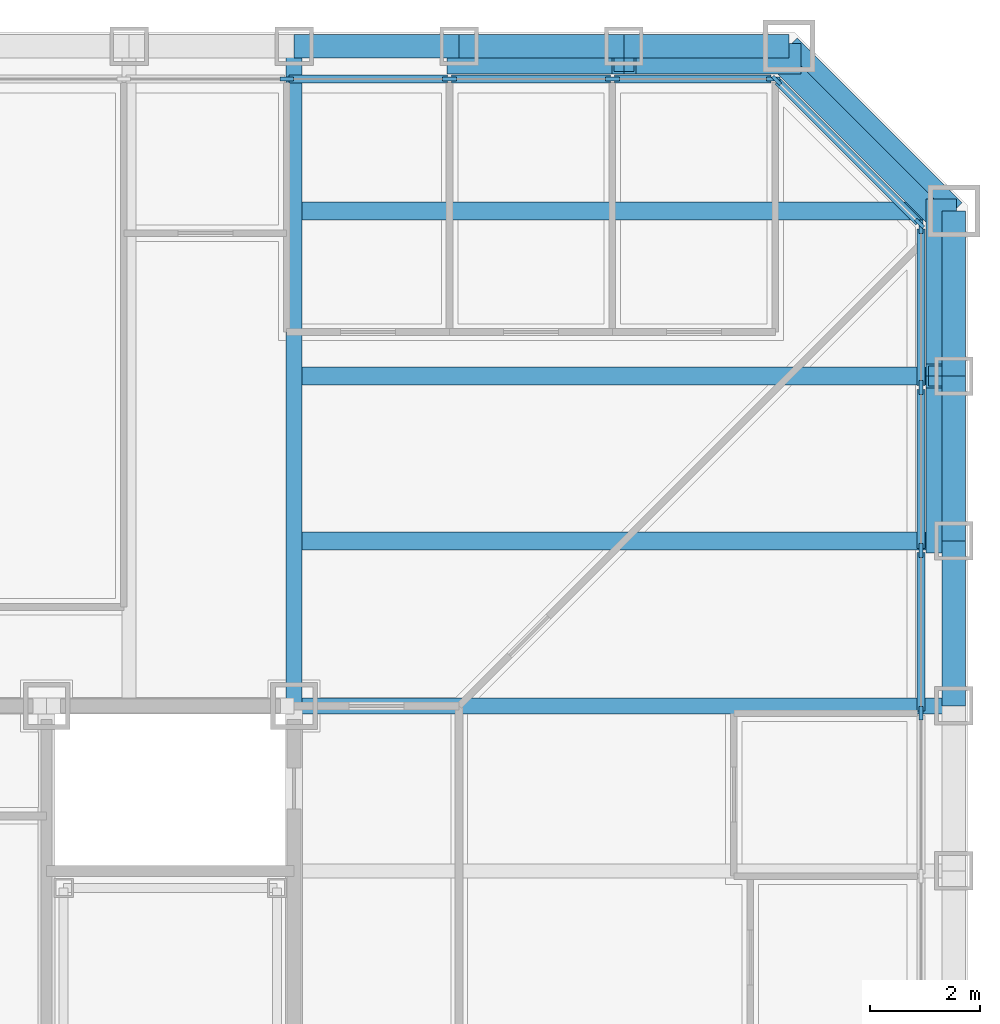
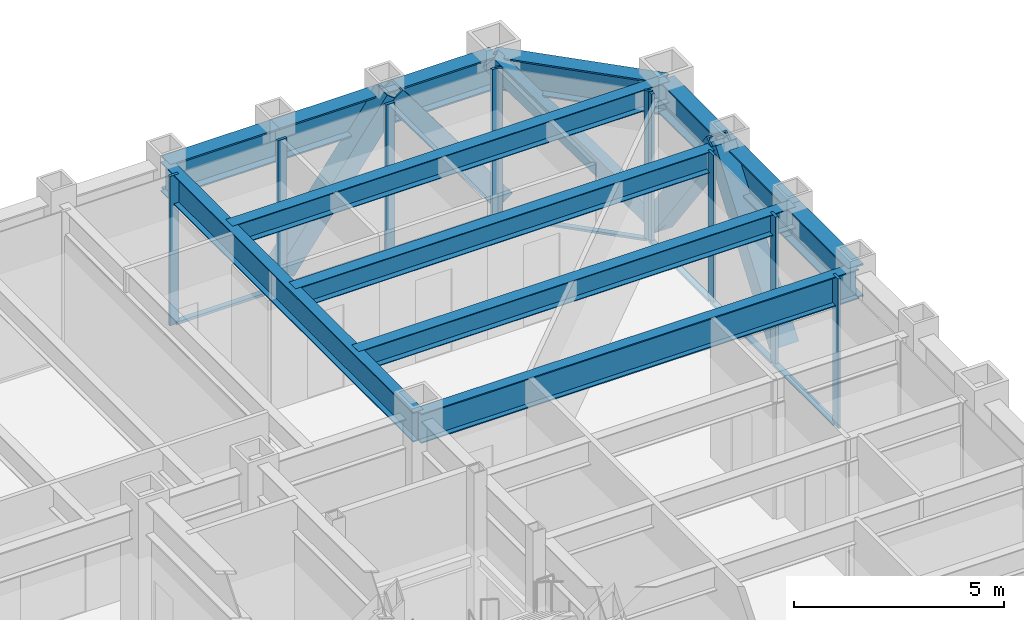
# One storey, part 6 of 16: 22 members, 12 beams, 3 elements without a shape of their own.
"""IFC4 building model written with IfcOpenShell, lengths in metres."""

from ifc_helpers import new_model, si_unit, direction, frame, origin, origin_2d, place, context, subcontext, project, spatial, rectangle, hollow_rectangle, i_section, extrude, material, layer, layer_set, material_profile, profile_set, type_object, element, aggregate, save


model = new_model("IFC4")

# Units and contexts
model_context = context("Model", 3, precision=1e-05, world=origin(), true_north=direction((0.0, 1.0)))
body_context = subcontext(model_context, "Body", "Model", "MODEL_VIEW")
ifc_project = project(units=[si_unit("LENGTHUNIT", "METRE"), si_unit("AREAUNIT", "SQUARE_METRE"), si_unit("VOLUMEUNIT", "CUBIC_METRE"), si_unit("PLANEANGLEUNIT", "RADIAN"), si_unit("MASSUNIT", "GRAM", prefix="KILO")], contexts=[model_context])

# Site, building, storey
site_placement = place(None, origin())
site = spatial("IfcSite", under=ifc_project, at=site_placement, CompositionType="ELEMENT")
building_placement = place(site_placement, origin())
building = spatial("IfcBuilding", under=site, at=building_placement, Name="Chuquiago Exchange Tower", CompositionType="ELEMENT")
storey_placement = place(building_placement, frame((0.0, 0.0, 33.300048828125)))
storey = spatial("IfcBuildingStorey", under=building, at=storey_placement, Name="L06", CompositionType="ELEMENT", Elevation=33.300048828125)

# Beams
ifc_material_1 = material(Name="Steel ASTM A992", Category="steel")
ifc_material_profile_1 = material_profile(ifc_material_1, i_section(OverallWidth=0.3251953125, OverallDepth=0.6171875, WebThickness=0.013916015625, FlangeThickness=0.021484375, at=origin_2d()), Name="W24X117")
ifc_profile_set_1 = profile_set([ifc_material_profile_1], Name="Steel ASTM A992")
beam_type_1 = type_object("IfcBeamType", Name="B5 W24X117", PredefinedType="BEAM", material=ifc_profile_set_1)
for number, where, z_axis, x_axis, name in (
    (1, (33.0, 36.0, 3.7314453125), (1.0, 0.0, 0.0), (0.0, 1.0, 0.0), "FB-L07-corner-33_36-45_36-0"),
    (2, (33.0, 39.0, 3.7314453125), (1.0, 0.0, 0.0), (0.0, 1.0, 0.0), "FB-L07-corner-33_39-45_39-0"),
    (3, (33.0, 42.0, 3.7314453125), (1.0, 0.0, 0.0), (0.0, 1.0, 0.0), "FB-L07-corner-33_42-45_42-0"),
):
    element("IfcBeam", number, at=place(storey_placement, frame(where, z_axis=z_axis, x_axis=x_axis)), inside=storey, type_object=beam_type_1, Name=name, PredefinedType="BEAM", context=body_context, shape_type="SweptSolid", body=[
        extrude(i_section(OverallWidth=0.3251953125, OverallDepth=0.6171875, WebThickness=0.013916015625, FlangeThickness=0.021484375, at=origin_2d()), origin(), (0.0, 0.0, 1.0), 12.0),
    ])

# Curtain wall, members
ifc_material_2 = material(Name="Aluminium curtain wall system", Category="aluminium")
ifc_layer_1 = layer(ifc_material_2, 0.25)
ifc_layer_set_1 = layer_set([ifc_layer_1], Name="CW1 trading floor curtain wall")
curtain_wall_type_1 = type_object("IfcCurtainWallType", Name="CW1 trading floor curtain wall", PredefinedType="NOTDEFINED", material=ifc_layer_set_1)
curtain_wall_1_placement = place(storey_placement, origin())
curtain_wall_1 = element("IfcCurtainWall", 4, at=curtain_wall_1_placement, inside=storey, type_object=curtain_wall_type_1, Name="CW1 curtain wall L06", PredefinedType="NOTDEFINED")
ifc_material_3 = material(Name="Aluminium mullion, pale anodised", Category="aluminium")
ifc_material_profile_2 = material_profile(ifc_material_3, rectangle(XDim=0.074951171875, YDim=0.25, at=origin_2d()), Name="AL 75x250")
ifc_profile_set_2 = profile_set([ifc_material_profile_2], Name="Aluminium mullion, pale anodised")
member_type_1 = type_object("IfcMemberType", Name="CW1-M mullion 75x250", PredefinedType="MULLION", material=ifc_profile_set_2)
member_1_placement = place(storey_placement, frame((44.39990234375, 32.8662109375, -0.300048828125), z_axis=(0.0, 0.0, 1.0), x_axis=(-1.0, 0.0, 0.0)))
member_1 = element("IfcMember", 5, at=member_1_placement, type_object=member_type_1, Name="CW1 mullion 11", PredefinedType="MULLION", context=body_context, shape_type="SweptSolid", body=[
    extrude(rectangle(XDim=0.074951171875, YDim=0.25, at=origin_2d()), origin(), (0.0, 0.0, 1.0), 4.340087890625),
])
member_2_placement = place(storey_placement, frame((44.39990234375, 35.827880859375, -0.300048828125), z_axis=(0.0, 0.0, 1.0), x_axis=(-1.0, 0.0, 0.0)))
member_2 = element("IfcMember", 6, at=member_2_placement, type_object=member_type_1, Name="CW1 mullion 12", PredefinedType="MULLION", context=body_context, shape_type="SweptSolid", body=[
    extrude(rectangle(XDim=0.074951171875, YDim=0.25, at=origin_2d()), origin(), (0.0, 0.0, 1.0), 4.340087890625),
])
member_3_placement = place(storey_placement, frame((44.39990234375, 38.789794921875, -0.300048828125), z_axis=(0.0, 0.0, 1.0), x_axis=(-1.0, 0.0, 0.0)))
member_3 = element("IfcMember", 7, at=member_3_placement, type_object=member_type_1, Name="CW1 mullion 13", PredefinedType="MULLION", context=body_context, shape_type="SweptSolid", body=[
    extrude(rectangle(XDim=0.074951171875, YDim=0.25, at=origin_2d()), origin(), (0.0, 0.0, 1.0), 4.340087890625),
])
member_4_placement = place(storey_placement, frame((44.39990234375, 41.714111328125, -0.300048828125), z_axis=(0.0, 0.0, 1.0), x_axis=(-1.0, 0.0, 0.0)))
member_4 = element("IfcMember", 8, at=member_4_placement, type_object=member_type_1, Name="CW1 mullion 14", PredefinedType="MULLION", context=body_context, shape_type="SweptSolid", body=[
    extrude(rectangle(XDim=0.074951171875, YDim=0.25, at=origin_2d()), origin(), (0.0, 0.0, 1.0), 4.340087890625),
])

curtain_wall_2_placement = place(storey_placement, origin())
curtain_wall_2 = element("IfcCurtainWall", 9, at=curtain_wall_2_placement, inside=storey, type_object=curtain_wall_type_1, Name="CW1 curtain wall L06", PredefinedType="NOTDEFINED")
member_5_placement = place(storey_placement, frame((41.714111328125, 44.39990234375, -0.300048828125), z_axis=(0.0, 0.0, 1.0), x_axis=(0.0, -1.0, 0.0)))
member_5 = element("IfcMember", 10, at=member_5_placement, type_object=member_type_1, Name="CW1 mullion 1", PredefinedType="MULLION", context=body_context, shape_type="SweptSolid", body=[
    extrude(rectangle(XDim=0.074951171875, YDim=0.25, at=origin_2d()), origin(), (0.0, 0.0, 1.0), 4.340087890625),
])
member_6_placement = place(storey_placement, frame((38.789794921875, 44.39990234375, -0.300048828125), z_axis=(0.0, 0.0, 1.0), x_axis=(0.0, -1.0, 0.0)))
member_6 = element("IfcMember", 11, at=member_6_placement, type_object=member_type_1, Name="CW1 mullion 2", PredefinedType="MULLION", context=body_context, shape_type="SweptSolid", body=[
    extrude(rectangle(XDim=0.074951171875, YDim=0.25, at=origin_2d()), origin(), (0.0, 0.0, 1.0), 4.340087890625),
])
member_7_placement = place(storey_placement, frame((35.827880859375, 44.39990234375, -0.300048828125), z_axis=(0.0, 0.0, 1.0), x_axis=(0.0, -1.0, 0.0)))
member_7 = element("IfcMember", 12, at=member_7_placement, type_object=member_type_1, Name="CW1 mullion 3", PredefinedType="MULLION", context=body_context, shape_type="SweptSolid", body=[
    extrude(rectangle(XDim=0.074951171875, YDim=0.25, at=origin_2d()), origin(), (0.0, 0.0, 1.0), 4.340087890625),
])
member_8_placement = place(storey_placement, frame((32.8662109375, 44.39990234375, -0.300048828125), z_axis=(0.0, 0.0, 1.0), x_axis=(0.0, -1.0, 0.0)))
member_8 = element("IfcMember", 13, at=member_8_placement, type_object=member_type_1, Name="CW1 mullion 4", PredefinedType="MULLION", context=body_context, shape_type="SweptSolid", body=[
    extrude(rectangle(XDim=0.074951171875, YDim=0.25, at=origin_2d()), origin(), (0.0, 0.0, 1.0), 4.340087890625),
])

# Member
ifc_material_4 = material(Name="Aluminium transom, pale anodised", Category="aluminium")
ifc_material_profile_3 = material_profile(ifc_material_4, rectangle(XDim=0.14990234375, YDim=0.074951171875, at=origin_2d()), Name="AL 150x75")
ifc_profile_set_3 = profile_set([ifc_material_profile_3], Name="Aluminium transom, pale anodised")
member_type_2 = type_object("IfcMemberType", Name="CW1-T transom 75x150", PredefinedType="MULLION", material=ifc_profile_set_3)
member_9_placement = place(storey_placement, frame((44.39990234375, 32.90380859375, -0.262451171875), z_axis=(0.0, 1.0, 0.0), x_axis=(-1.0, 0.0, 0.0)))
member_9 = element("IfcMember", 14, at=member_9_placement, type_object=member_type_2, Name="CW1 transom 11.1", PredefinedType="MULLION", context=body_context, shape_type="SweptSolid", body=[
    extrude(rectangle(XDim=0.14990234375, YDim=0.074951171875, at=origin_2d()), origin(), (0.0, 0.0, 1.0), 2.88671875),
])

member_10_placement = place(storey_placement, frame((44.39990234375, 35.865478515625, -0.262451171875), z_axis=(0.0, 1.0, 0.0), x_axis=(-1.0, 0.0, 0.0)))
member_10 = element("IfcMember", 15, at=member_10_placement, type_object=member_type_2, Name="CW1 transom 12.1", PredefinedType="MULLION", context=body_context, shape_type="SweptSolid", body=[
    extrude(rectangle(XDim=0.14990234375, YDim=0.074951171875, at=origin_2d()), origin(), (0.0, 0.0, 1.0), 2.88671875),
])

member_11_placement = place(storey_placement, frame((44.39990234375, 38.8271484375, -0.262451171875), z_axis=(0.0, 1.0, 0.0), x_axis=(-1.0, 0.0, 0.0)))
member_11 = element("IfcMember", 16, at=member_11_placement, type_object=member_type_2, Name="CW1 transom 13.1", PredefinedType="MULLION", context=body_context, shape_type="SweptSolid", body=[
    extrude(rectangle(XDim=0.14990234375, YDim=0.074951171875, at=origin_2d()), origin(), (0.0, 0.0, 1.0), 2.849365234375),
])

aggregate(curtain_wall_1, [member_1, member_2, member_3, member_4, member_9, member_10, member_11])

member_12_placement = place(storey_placement, frame((41.676513671875, 44.39990234375, -0.262451171875), z_axis=(-1.0, 0.0, 0.0), x_axis=(0.0, -1.0, 0.0)))
member_12 = element("IfcMember", 17, at=member_12_placement, type_object=member_type_2, Name="CW1 transom 1.1", PredefinedType="MULLION", context=body_context, shape_type="SweptSolid", body=[
    extrude(rectangle(XDim=0.14990234375, YDim=0.074951171875, at=origin_2d()), origin(), (0.0, 0.0, 1.0), 2.849365234375),
])

member_13_placement = place(storey_placement, frame((38.752197265625, 44.39990234375, -0.262451171875), z_axis=(-1.0, 0.0, 0.0), x_axis=(0.0, -1.0, 0.0)))
member_13 = element("IfcMember", 18, at=member_13_placement, type_object=member_type_2, Name="CW1 transom 2.1", PredefinedType="MULLION", context=body_context, shape_type="SweptSolid", body=[
    extrude(rectangle(XDim=0.14990234375, YDim=0.074951171875, at=origin_2d()), origin(), (0.0, 0.0, 1.0), 2.88671875),
])

member_14_placement = place(storey_placement, frame((35.79052734375, 44.39990234375, -0.262451171875), z_axis=(-1.0, 0.0, 0.0), x_axis=(0.0, -1.0, 0.0)))
member_14 = element("IfcMember", 19, at=member_14_placement, type_object=member_type_2, Name="CW1 transom 3.1", PredefinedType="MULLION", context=body_context, shape_type="SweptSolid", body=[
    extrude(rectangle(XDim=0.14990234375, YDim=0.074951171875, at=origin_2d()), origin(), (0.0, 0.0, 1.0), 2.88671875),
])

aggregate(curtain_wall_2, [member_5, member_6, member_7, member_8, member_12, member_13, member_14])

# Curtain wall, members
ifc_material_5 = material(Name="Aluminium curtain wall system", Category="aluminium")
ifc_layer_2 = layer(ifc_material_5, 0.199951171875)
ifc_layer_set_2 = layer_set([ifc_layer_2], Name="CW3 facet curtain wall")
curtain_wall_type_2 = type_object("IfcCurtainWallType", Name="CW3 facet curtain wall", PredefinedType="NOTDEFINED", material=ifc_layer_set_2)
curtain_wall_3_placement = place(storey_placement, origin())
curtain_wall_3 = element("IfcCurtainWall", 20, at=curtain_wall_3_placement, inside=storey, type_object=curtain_wall_type_2, Name="CW3 curtain wall L06", PredefinedType="NOTDEFINED")
ifc_material_6 = material(Name="Aluminium mullion, pale anodised", Category="aluminium")
ifc_material_profile_4 = material_profile(ifc_material_6, rectangle(XDim=0.06494140625, YDim=0.199951171875, at=origin_2d()), Name="AL 65x200")
ifc_profile_set_4 = profile_set([ifc_material_profile_4], Name="Aluminium mullion, pale anodised")
member_type_3 = type_object("IfcMemberType", Name="CW3-M mullion 65x200", PredefinedType="MULLION", material=ifc_profile_set_4)
member_15_placement = place(storey_placement, frame((44.376953125, 41.7744140625, -0.300048828125), z_axis=(0.0, 0.0, 1.0), x_axis=(-0.707106781187, -0.707106781187, 0.0)))
member_15 = element("IfcMember", 21, at=member_15_placement, type_object=member_type_3, Name="CW3 mullion 1", PredefinedType="MULLION", context=body_context, shape_type="SweptSolid", body=[
    extrude(rectangle(XDim=0.06494140625, YDim=0.199951171875, at=origin_2d()), origin(), (0.0, 0.0, 1.0), 4.340087890625),
])
member_16_placement = place(storey_placement, frame((41.7744140625, 44.376953125, -0.300048828125), z_axis=(0.0, 0.0, 1.0), x_axis=(-0.707106781187, -0.707106781187, 0.0)))
member_16 = element("IfcMember", 22, at=member_16_placement, type_object=member_type_3, Name="CW3 mullion 2", PredefinedType="MULLION", context=body_context, shape_type="SweptSolid", body=[
    extrude(rectangle(XDim=0.06494140625, YDim=0.199951171875, at=origin_2d()), origin(), (0.0, 0.0, 1.0), 4.340087890625),
])
ifc_material_7 = material(Name="Aluminium transom, pale anodised", Category="aluminium")
ifc_material_profile_5 = material_profile(ifc_material_7, rectangle(XDim=0.139892578125, YDim=0.06494140625, at=origin_2d()), Name="AL 140x65")
ifc_profile_set_5 = profile_set([ifc_material_profile_5], Name="Aluminium transom, pale anodised")
member_type_4 = type_object("IfcMemberType", Name="CW3-T transom 65x140", PredefinedType="MULLION", material=ifc_profile_set_5)
member_17_placement = place(storey_placement, frame((44.35400390625, 41.79736328125, -0.267578125), z_axis=(-0.707106781187, 0.707106781187, 0.0), x_axis=(-0.707106781187, -0.707106781187, 0.0)))
member_17 = element("IfcMember", 23, at=member_17_placement, type_object=member_type_4, Name="CW3 transom 1.1", PredefinedType="MULLION", context=body_context, shape_type="SweptSolid", body=[
    extrude(rectangle(XDim=0.139892578125, YDim=0.06494140625, at=origin_2d()), origin(), (0.0, 0.0, 1.0), 3.61572265625),
])
aggregate(curtain_wall_3, [member_15, member_16, member_17])

# Beams
ifc_material_8 = material(Name="Steel ASTM A992", Category="steel")
ifc_material_profile_6 = material_profile(ifc_material_8, i_section(OverallWidth=0.2919921875, OverallDepth=0.8583984375, WebThickness=0.01708984375, FlangeThickness=0.031005859375, at=origin_2d()), Name="W33X169")
ifc_profile_set_6 = profile_set([ifc_material_profile_6], Name="Steel ASTM A992")
beam_type_2 = type_object("IfcBeamType", Name="G2 W33X169", PredefinedType="BEAM", material=ifc_profile_set_6)
for number, where, z_axis, x_axis, name in (
    (24, (33.0, 33.0, 3.610595703125), (0.0, 1.0, 0.0), (-1.0, 0.0, 0.0), "FB-L07-girder-33_33-33_45-0"),
    (25, (33.0, 33.0, 3.610595703125), (1.0, 0.0, 0.0), (0.0, 1.0, 0.0), "FB-L07-girder-33_33-45_33-0"),
):
    element("IfcBeam", number, at=place(storey_placement, frame(where, z_axis=z_axis, x_axis=x_axis)), inside=storey, type_object=beam_type_2, Name=name, PredefinedType="BEAM", context=body_context, shape_type="SweptSolid", body=[
        extrude(i_section(OverallWidth=0.2919921875, OverallDepth=0.8583984375, WebThickness=0.01708984375, FlangeThickness=0.031005859375, at=origin_2d()), origin(), (0.0, 0.0, 1.0), 12.0),
    ])

# Members
ifc_material_9 = material(Name="Steel ASTM A500 Grade C", Category="steel")
ifc_material_profile_7 = material_profile(ifc_material_9, hollow_rectangle(XDim=0.406494140625, YDim=0.406494140625, WallThickness=0.0146484375, at=origin_2d()), Name="HSS16X16X5/8")
ifc_profile_set_7 = profile_set([ifc_material_profile_7], Name="Steel ASTM A500 Grade C")
member_type_5 = type_object("IfcMemberType", Name="LB4 HSS16X16X5/8", PredefinedType="BRACE", material=ifc_profile_set_7)
member_18_placement = place(storey_placement, frame((44.78662109375, 41.78662109375, 0.0), z_axis=(-0.512077265487, 0.512077265487, 0.689604051861), x_axis=(-0.707106781187, -0.707106781187, 0.0)))
element("IfcMember", 26, at=member_18_placement, inside=storey, type_object=member_type_5, Name="LB-L06-45_42-42_45", PredefinedType="BRACE", context=body_context, shape_type="SweptSolid", body=[
    extrude(hollow_rectangle(XDim=0.406494140625, YDim=0.406494140625, WallThickness=0.0146484375, at=origin_2d()), origin(), (0.0, 0.0, 1.0), 5.8583984375),
])
ifc_material_10 = material(Name="Steel ASTM A572 Grade 50", Category="steel")
ifc_material_profile_8 = material_profile(ifc_material_10, hollow_rectangle(XDim=0.550048828125, YDim=0.550048828125, WallThickness=0.044921875, at=origin_2d()), Name="BOX550X550X45")
ifc_profile_set_8 = profile_set([ifc_material_profile_8], Name="Steel ASTM A572 Grade 50")
member_type_6 = type_object("IfcMemberType", Name="MB1 BOX550X550X45", PredefinedType="BRACE", material=ifc_profile_set_8)
for number, where, z_axis, x_axis, name in (
    (27, (44.77001953125, 36.0, 0.0), (0.0, 0.596173923302, 0.802855312728), (-1.0, 0.0, 0.0), "Mega diagonal L06 E face"),
    (28, (44.77001953125, 42.0, 0.0), (0.0, -0.596173923302, 0.802855312728), (1.0, 0.0, 0.0), "Mega diagonal L06 E face"),
    (29, (42.0, 44.77001953125, 0.0), (-0.596173923302, 0.0, 0.802855312728), (0.0, -1.0, 0.0), "Mega diagonal L06 N face"),
    (30, (36.0, 44.77001953125, 0.0), (0.596173923302, 0.0, 0.802855312728), (0.0, 1.0, 0.0), "Mega diagonal L06 N face"),
):
    element("IfcMember", number, at=place(storey_placement, frame(where, z_axis=z_axis, x_axis=x_axis)), inside=storey, type_object=member_type_6, Name=name, PredefinedType="BRACE", context=body_context, shape_type="SweptSolid", body=[
        extrude(hollow_rectangle(XDim=0.550048828125, YDim=0.550048828125, WallThickness=0.044921875, at=origin_2d()), origin(), (0.0, 0.0, 1.0), 5.031982421875),
    ])

# Beams
ifc_material_11 = material(Name="Steel ASTM A992", Category="steel")
ifc_material_profile_9 = material_profile(ifc_material_11, i_section(OverallWidth=0.424072265625, OverallDepth=0.947509765625, WebThickness=0.02392578125, FlangeThickness=0.042724609375, at=origin_2d()), Name="W36X302")
ifc_profile_set_9 = profile_set([ifc_material_profile_9], Name="Steel ASTM A992")
beam_type_3 = type_object("IfcBeamType", Name="SP1 W36X302", PredefinedType="SPANDREL", material=ifc_profile_set_9)
for number, where, z_axis, x_axis, name in (
    (31, (45.0, 33.0, 3.566162109375), (0.0, 1.0, 0.0), (-1.0, 0.0, 0.0), "SPB-L07-45_33-45_36"),
    (32, (45.0, 36.0, 3.566162109375), (0.0, 1.0, 0.0), (-1.0, 0.0, 0.0), "SPB-L07-45_36-45_39"),
    (33, (45.0, 39.0, 3.566162109375), (0.0, 1.0, 0.0), (-1.0, 0.0, 0.0), "SPB-L07-45_39-45_42"),
):
    element("IfcBeam", number, at=place(storey_placement, frame(where, z_axis=z_axis, x_axis=x_axis)), inside=storey, type_object=beam_type_3, Name=name, PredefinedType="SPANDREL", context=body_context, shape_type="SweptSolid", body=[
        extrude(i_section(OverallWidth=0.424072265625, OverallDepth=0.947509765625, WebThickness=0.02392578125, FlangeThickness=0.042724609375, at=origin_2d()), origin(), (0.0, 0.0, 1.0), 3.0),
    ])
beam_placement = place(storey_placement, frame((45.0, 42.0, 3.566162109375), z_axis=(-0.707106781187, 0.707106781187, 0.0), x_axis=(-0.707106781187, -0.707106781187, 0.0)))
element("IfcBeam", 34, at=beam_placement, inside=storey, type_object=beam_type_3, Name="SPB-L07-45_42-42_45", PredefinedType="SPANDREL", context=body_context, shape_type="SweptSolid", body=[
    extrude(i_section(OverallWidth=0.424072265625, OverallDepth=0.947509765625, WebThickness=0.02392578125, FlangeThickness=0.042724609375, at=origin_2d()), origin(), (0.0, 0.0, 1.0), 4.24267578125),
])
for number, where, z_axis, x_axis, name in (
    (35, (42.0, 45.0, 3.566162109375), (-1.0, 0.0, 0.0), (0.0, -1.0, 0.0), "SPB-L07-42_45-39_45"),
    (36, (39.0, 45.0, 3.566162109375), (-1.0, 0.0, 0.0), (0.0, -1.0, 0.0), "SPB-L07-39_45-36_45"),
    (37, (36.0, 45.0, 3.566162109375), (-1.0, 0.0, 0.0), (0.0, -1.0, 0.0), "SPB-L07-36_45-33_45"),
):
    element("IfcBeam", number, at=place(storey_placement, frame(where, z_axis=z_axis, x_axis=x_axis)), inside=storey, type_object=beam_type_3, Name=name, PredefinedType="SPANDREL", context=body_context, shape_type="SweptSolid", body=[
        extrude(i_section(OverallWidth=0.424072265625, OverallDepth=0.947509765625, WebThickness=0.02392578125, FlangeThickness=0.042724609375, at=origin_2d()), origin(), (0.0, 0.0, 1.0), 3.0),
    ])

save(model, "model.ifc")
